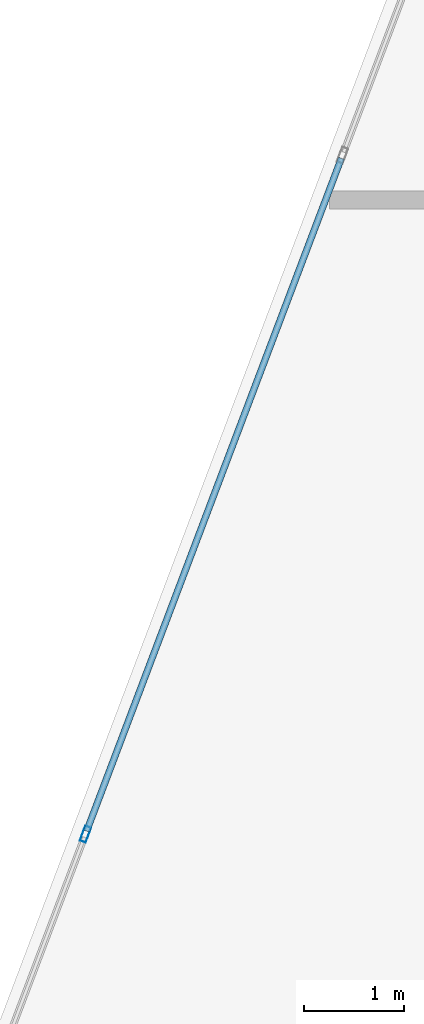
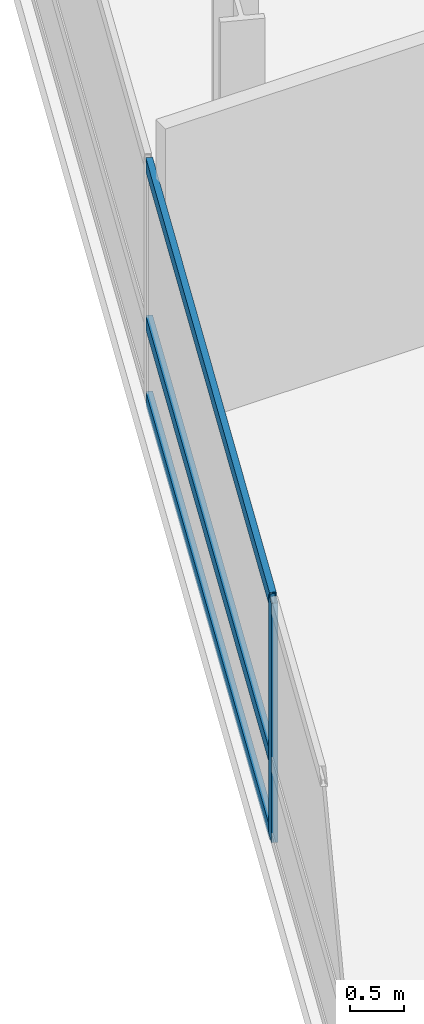
# One storey, part 6 of 25: 4 members, 1 element without a shape of its own.
"""IFC4 building model written with IfcOpenShell, lengths in metres."""

from ifc_helpers import new_model, si_unit, direction, frame, origin, origin_2d, place, context, subcontext, project, spatial, hollow_rectangle, extrude, material, layer, layer_set, material_profile, profile_set, type_object, element, aggregate, save


model = new_model("IFC4")

# Units and contexts
model_context = context("Model", 3, precision=1e-05, world=origin(), true_north=direction((0.0, 1.0)))
body_context = subcontext(model_context, "Body", "Model", "MODEL_VIEW")
ifc_project = project(units=[si_unit("LENGTHUNIT", "METRE"), si_unit("AREAUNIT", "SQUARE_METRE"), si_unit("VOLUMEUNIT", "CUBIC_METRE"), si_unit("PLANEANGLEUNIT", "RADIAN"), si_unit("MASSUNIT", "GRAM", prefix="KILO")], contexts=[model_context])

# Site, building, storey
site_placement = place(None, origin())
site = spatial("IfcSite", under=ifc_project, at=site_placement, CompositionType="ELEMENT")
building_placement = place(site_placement, origin())
building = spatial("IfcBuilding", under=site, at=building_placement, Name="Varnelok Gate Tower", CompositionType="ELEMENT")
storey_placement = place(building_placement, frame((0.0, 0.0, 91.0)))
storey = spatial("IfcBuildingStorey", under=building, at=storey_placement, Name="L22", CompositionType="ELEMENT", Elevation=91.0)

# Curtain wall, members
ifc_material = material(Name="Anodized Aluminum Alloy 6063-T6", Category="aluminium")
ifc_layer = layer(ifc_material, 0.179931640625)
ifc_layer_set = layer_set([ifc_layer], Name="Anodized Aluminum Alloy 6063-T6")
curtain_wall_type = type_object("IfcCurtainWallType", Name="CW3-HOTEL-VISION", PredefinedType="USERDEFINED", material=ifc_layer_set)
curtain_wall_placement = place(storey_placement, origin())
curtain_wall = element("IfcCurtainWall", 1, at=curtain_wall_placement, inside=storey, type_object=curtain_wall_type, Name="L22 West End Vision Curtain Wall", ObjectType="UNITISED CURTAIN WALL", PredefinedType="USERDEFINED")
ifc_material_profile_1 = material_profile(ifc_material, hollow_rectangle(XDim=0.06494140625, YDim=0.159912109375, WallThickness=0.00390625, at=origin_2d()), Name="ALU160X65X4")
ifc_profile_set_1 = profile_set([ifc_material_profile_1], Name="Anodized Aluminum Alloy 6063-T6")
member_type_1 = type_object("IfcMemberType", Name="CW-MULL-160", PredefinedType="MULLION", material=ifc_profile_set_1)
member_1_placement = place(storey_placement, frame((3.072021484375, 35.10693359375, 0.0), z_axis=(0.0, 0.0, 1.0), x_axis=(-0.935221323688, 0.354063660545, 0.0)))
member_1 = element("IfcMember", 2, at=member_1_placement, type_object=member_type_1, Name="CW3 mullion 3", PredefinedType="MULLION", context=body_context, shape_type="SweptSolid", body=[
    extrude(hollow_rectangle(XDim=0.06494140625, YDim=0.159912109375, WallThickness=0.00390625, at=origin_2d()), origin(), (0.0, 0.0, 1.0), 2.72998046875),
])
ifc_material_profile_2 = material_profile(ifc_material, hollow_rectangle(XDim=0.06494140625, YDim=0.159912109375, WallThickness=0.00390625, at=origin_2d()), Name="ALU160X65X4")
ifc_profile_set_2 = profile_set([ifc_material_profile_2], Name="Anodized Aluminum Alloy 6063-T6")
member_type_2 = type_object("IfcMemberType", Name="CW-TRAN-160", PredefinedType="USERDEFINED", material=ifc_profile_set_2)
member_2_placement = place(storey_placement, frame((3.08349609375, 35.13720703125, 0.032470703125), z_axis=(0.354048963644, 0.935226887628, 0.0), x_axis=(-0.935226887628, 0.354048963644, 0.0)))
member_2 = element("IfcMember", 3, at=member_2_placement, type_object=member_type_2, Name="CW3 transom 3.1", ObjectType="TRANSOM", PredefinedType="USERDEFINED", context=body_context, shape_type="SweptSolid", body=[
    extrude(hollow_rectangle(XDim=0.06494140625, YDim=0.159912109375, WallThickness=0.00390625, at=origin_2d()), origin(), (0.0, 0.0, 1.0), 7.175048828125),
])
member_3_placement = place(storey_placement, frame((3.08349609375, 35.13720703125, 0.89990234375), z_axis=(0.354048963644, 0.935226887628, 0.0), x_axis=(-0.935226887628, 0.354048963644, 0.0)))
member_3 = element("IfcMember", 4, at=member_3_placement, type_object=member_type_2, Name="CW3 transom 3.2", ObjectType="TRANSOM", PredefinedType="USERDEFINED", context=body_context, shape_type="SweptSolid", body=[
    extrude(hollow_rectangle(XDim=0.06494140625, YDim=0.159912109375, WallThickness=0.00390625, at=origin_2d()), origin(), (0.0, 0.0, 1.0), 7.175048828125),
])
member_4_placement = place(storey_placement, frame((3.08349609375, 35.13720703125, 2.697509765625), z_axis=(0.354048963644, 0.935226887628, 0.0), x_axis=(-0.935226887628, 0.354048963644, 0.0)))
member_4 = element("IfcMember", 5, at=member_4_placement, type_object=member_type_2, Name="CW3 transom 3.3", ObjectType="TRANSOM", PredefinedType="USERDEFINED", context=body_context, shape_type="SweptSolid", body=[
    extrude(hollow_rectangle(XDim=0.06494140625, YDim=0.159912109375, WallThickness=0.00390625, at=origin_2d()), origin(), (0.0, 0.0, 1.0), 7.175048828125),
])
aggregate(curtain_wall, [member_1, member_2, member_3, member_4])

save(model, "model.ifc")
